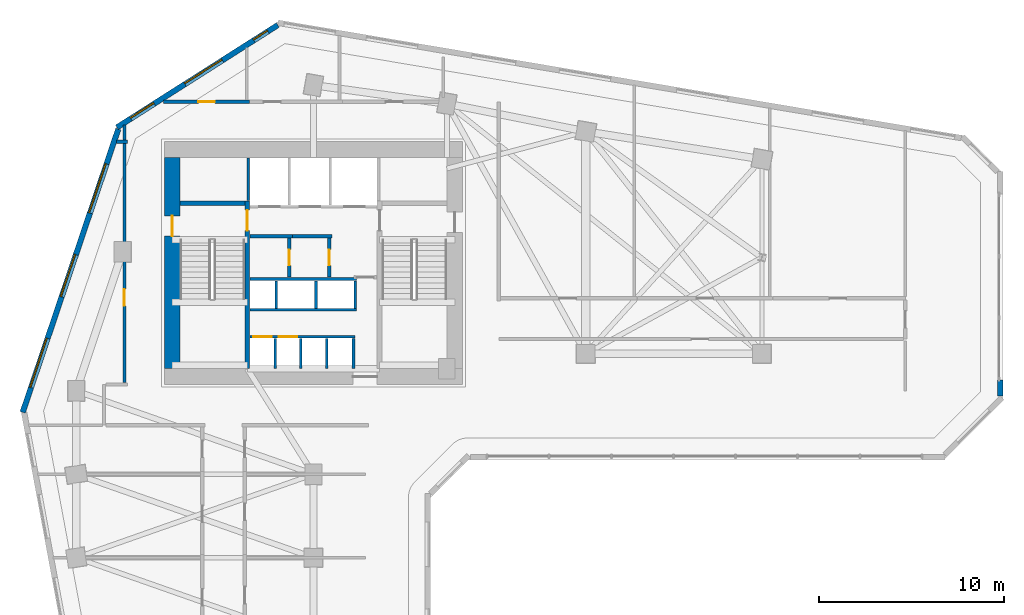
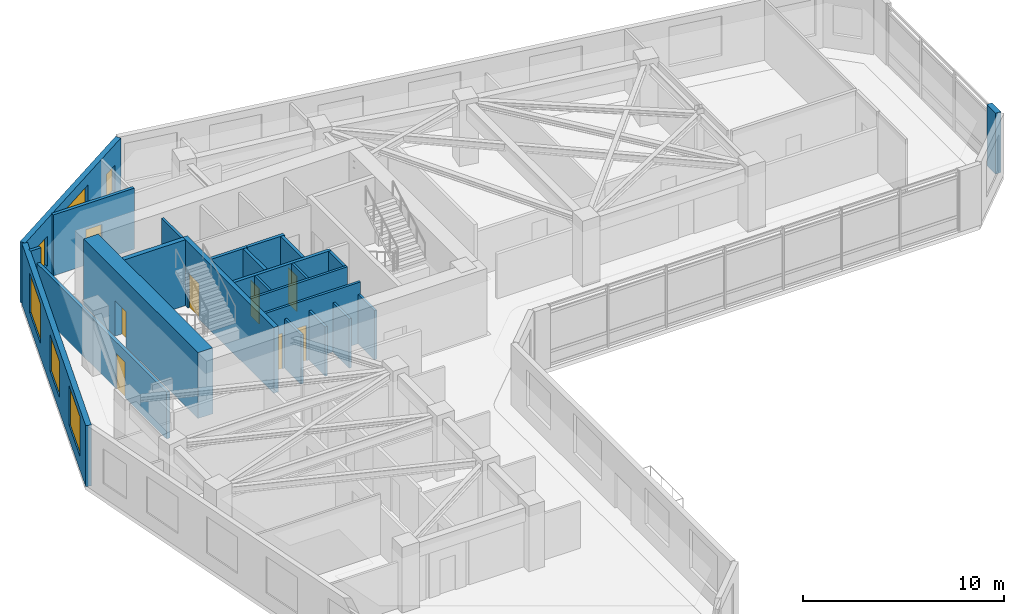
# One storey, part 7 of 11: 24 walls, 8 doors, 6 windows, 14 openings.
"""IFC4 building model written with IfcOpenShell, lengths in metres."""

from ifc_helpers import new_model, si_unit, direction, frame, frame_2d, origin, place, context, subcontext, project, spatial, rectangle, extrude, source, transform, mapped, material, layer, layer_set, type_object, element, fill, save


model = new_model("IFC4")

# Units and contexts
model_context = context("Model", 3, precision=1e-05, world=origin(), true_north=direction((0.0, 1.0)))
body_context = subcontext(model_context, "Body", "Model", "MODEL_VIEW")
ifc_project = project(units=[si_unit("LENGTHUNIT", "METRE"), si_unit("AREAUNIT", "SQUARE_METRE"), si_unit("VOLUMEUNIT", "CUBIC_METRE"), si_unit("PLANEANGLEUNIT", "RADIAN"), si_unit("MASSUNIT", "GRAM", prefix="KILO")], contexts=[model_context])

# Site, building, storey
site_placement = place(None, origin())
site = spatial("IfcSite", under=ifc_project, at=site_placement, CompositionType="ELEMENT")
building_placement = place(site_placement, origin())
building = spatial("IfcBuilding", under=site, at=building_placement, Name="Calvemar Wedge Station Tower", CompositionType="ELEMENT")
storey_placement = place(building_placement, frame((0.0, 0.0, 59.0)))
storey = spatial("IfcBuildingStorey", under=building, at=storey_placement, Name="L14", CompositionType="ELEMENT", Elevation=59.0)

# Wall, opening, door
ifc_material_1 = material(Name="Concrete C50", Category="concrete")
ifc_layer_1 = layer(ifc_material_1, 0.260009765625)
ifc_layer_set_1 = layer_set([ifc_layer_1], Name="Concrete C50")
wall_type_1 = type_object("IfcWallType", Name="SW-CORE-260", PredefinedType="SHEAR", material=ifc_layer_set_1)
wall_1_placement = place(storey_placement, frame((20.22998046875, 34.199951171875, 0.0), z_axis=(0.0, 0.0, 1.0), x_axis=(0.0, 1.0, 0.0)))
wall_1 = element("IfcWall", 1, at=wall_1_placement, inside=storey, type_object=wall_type_1, Name="Storey L14 Core Shear Wall SPINE-W", PredefinedType="SHEAR", context=body_context, shape_type="SweptSolid", body=[
    extrude(rectangle(XDim=9.06005859375, YDim=0.260009765625, at=frame_2d((4.530029296875, 0.0))), origin(), (0.0, 0.0, 1.0), 4.0),
])
shared_shape_1 = source(origin(), body_context, "Body", "SweptSolid", [
    extrude(rectangle(XDim=1.10009765625, YDim=2.14990234375, at=frame_2d((0.550048828125, 1.074951171875))), frame((0.0, 0.14013671875, 0.0), z_axis=(0.0, -1.0, 0.0), x_axis=(1.0, 0.0, 0.0)), (0.0, 0.0, 1.0), 0.280029296875),
])
opening_1_placement = place(wall_1_placement, frame((7.449951171875, 0.0, 0.0)))
opening_1 = element("IfcOpeningElement", 2, at=opening_1_placement, cuts=wall_1, Name="Opening FD-90", PredefinedType="OPENING", context=body_context, shape_type="MappedRepresentation", body=[
    mapped(shared_shape_1, transform((0.0, 0.0, 0.0), scale=1.0)),
])
ifc_material_2 = material(Name="Galvanized fire-rated steel door leaf P-90", Category="steel")
door_type_1 = type_object("IfcDoorType", Name="DR-FD90-1100", OperationType="NOTDEFINED", PredefinedType="DOOR", material=ifc_material_2)
shared_shape_2 = source(origin(), body_context, "Body", "SweptSolid", [
    extrude(rectangle(XDim=1.10009765625, YDim=2.14990234375, at=frame_2d((0.550048828125, 1.074951171875))), frame((0.0, 0.02490234375, 0.0), z_axis=(0.0, -1.0, 0.0), x_axis=(1.0, 0.0, 0.0)), (0.0, 0.0, 1.0), 0.050048828125),
])
door_1_placement = place(opening_1_placement, origin())
door_1 = element("IfcDoor", 3, at=door_1_placement, inside=storey, type_object=door_type_1, Name="L14 FF Lobby to Stair ST-C1 Door", OperationType="SINGLE_SWING_LEFT", OverallHeight=2.14990234375, OverallWidth=1.10009765625, PredefinedType="DOOR", context=body_context, shape_type="MappedRepresentation", body=[
    mapped(shared_shape_2, transform((0.0, 0.0, 0.0), scale=1.0)),
])
fill(opening_1, door_1)

# Wall
wall_2_placement = place(storey_placement, frame((16.60009765625, 43.1298828125, 0.0), z_axis=(0.0, 0.0, 1.0), x_axis=(1.0, 0.0, 0.0)))
element("IfcWall", 4, at=wall_2_placement, inside=storey, type_object=wall_type_1, Name="Storey L14 Core Shear Wall STC1-N", PredefinedType="SHEAR", context=body_context, shape_type="SweptSolid", body=[
    extrude(rectangle(XDim=3.5, YDim=0.260009765625, at=frame_2d((1.75, 0.0))), origin(), (0.0, 0.0, 1.0), 4.0),
])

# Wall, opening, door
ifc_material_3 = material(Name="Concrete C80", Category="concrete")
ifc_layer_2 = layer(ifc_material_3, 0.85009765625)
ifc_layer_set_2 = layer_set([ifc_layer_2], Name="Concrete C80")
wall_type_2 = type_object("IfcWallType", Name="SW-CORE-850", PredefinedType="SHEAR", material=ifc_layer_set_2)
wall_3_placement = place(storey_placement, frame((16.175048828125, 34.199951171875, 0.0), z_axis=(0.0, 0.0, 1.0), x_axis=(0.0, 1.0, 0.0)))
wall_3 = element("IfcWall", 5, at=wall_3_placement, inside=storey, type_object=wall_type_2, Name="Storey L14 Core Shear Wall W", PredefinedType="SHEAR", context=body_context, shape_type="SweptSolid", body=[
    extrude(rectangle(XDim=11.400146484375, YDim=0.85009765625, at=frame_2d((5.7001953125, 0.0))), origin(), (0.0, 0.0, 1.0), 4.0),
])
shared_shape_3 = source(origin(), body_context, "Body", "SweptSolid", [
    extrude(rectangle(XDim=1.10009765625, YDim=2.14990234375, at=frame_2d((0.550048828125, 1.074951171875))), frame((0.0, 0.43505859375, 0.0), z_axis=(0.0, -1.0, 0.0), x_axis=(1.0, 0.0, 0.0)), (0.0, 0.0, 1.0), 0.8701171875),
])
opening_2_placement = place(wall_3_placement, frame((7.14990234375, 0.0, 0.0)))
opening_2 = element("IfcOpeningElement", 6, at=opening_2_placement, cuts=wall_3, Name="Opening FD-90", PredefinedType="OPENING", context=body_context, shape_type="MappedRepresentation", body=[
    mapped(shared_shape_3, transform((0.0, 0.0, 0.0), scale=1.0)),
])
door_2_placement = place(opening_2_placement, origin())
door_2 = element("IfcDoor", 7, at=door_2_placement, inside=storey, type_object=door_type_1, Name="L14 West Corridor to Exit Stair ST-C1 Door", OperationType="SINGLE_SWING_LEFT", OverallHeight=2.14990234375, OverallWidth=1.10009765625, PredefinedType="DOOR", context=body_context, shape_type="MappedRepresentation", body=[
    mapped(shared_shape_2, transform((0.0, 0.0, 0.0), scale=1.0)),
])
fill(opening_2, door_2)

# Walls
ifc_material_4 = material(Name="Double-stud fire-rated corridor partition")
ifc_layer_3 = layer(ifc_material_4, 0.179931640625)
ifc_layer_set_3 = layer_set([ifc_layer_3], Name="Double-stud fire-rated corridor partition")
wall_type_3 = type_object("IfcWallType", Name="W-CORR-180", PredefinedType="PARTITIONING", material=ifc_layer_set_3)
wall_4_placement = place(storey_placement, frame((22.659912109375, 41.35009765625, 0.0), z_axis=(0.0, 0.0, 1.0), x_axis=(-1.0, 0.0, 0.0)))
element("IfcWall", 8, at=wall_4_placement, inside=storey, type_object=wall_type_3, Name="Storey L14 Interior Partition WL-L14-001", PredefinedType="PARTITIONING", context=body_context, shape_type="SweptSolid", body=[
    extrude(rectangle(XDim=2.280029296875, YDim=0.179931640625, at=frame_2d((1.14013671875, 0.0))), origin(), (0.0, 0.0, 1.0), 3.699951171875),
])
wall_5_placement = place(storey_placement, frame((24.81005859375, 41.35009765625, 0.0), z_axis=(0.0, 0.0, 1.0), x_axis=(-1.0, 0.0, 0.0)))
element("IfcWall", 9, at=wall_5_placement, inside=storey, type_object=wall_type_3, Name="Storey L14 Interior Partition WL-L14-002", PredefinedType="PARTITIONING", context=body_context, shape_type="SweptSolid", body=[
    extrude(rectangle(XDim=2.14794921875, YDim=0.179931640625, at=frame_2d((1.073974609375, 0.0))), origin(), (0.0, 0.0, 1.0), 3.699951171875),
])

# Wall, opening, door
wall_6_placement = place(storey_placement, frame((22.5, 41.256103515625, 0.0), z_axis=(0.0, 0.0, 1.0), x_axis=(0.0, -1.0, 0.0)))
wall_6 = element("IfcWall", 10, at=wall_6_placement, inside=storey, type_object=wall_type_3, Name="Storey L14 Interior Partition WL-L14-003", PredefinedType="PARTITIONING", context=body_context, shape_type="SweptSolid", body=[
    extrude(rectangle(XDim=2.106201171875, YDim=0.179931640625, at=frame_2d((1.05322265625, 0.0))), origin(), (0.0, 0.0, 1.0), 3.699951171875),
])
shared_shape_4 = source(origin(), body_context, "Body", "SweptSolid", [
    extrude(rectangle(XDim=0.85009765625, YDim=2.14990234375, at=frame_2d((0.425048828125, 1.074951171875))), frame((0.0, 0.10009765625, 0.0), z_axis=(0.0, -1.0, 0.0), x_axis=(1.0, 0.0, 0.0)), (0.0, 0.0, 1.0), 0.199951171875),
])
opening_3_placement = place(wall_6_placement, frame((0.6279296875, 0.0, 0.0)))
opening_3 = element("IfcOpeningElement", 11, at=opening_3_placement, cuts=wall_6, Name="Opening FD-60S", PredefinedType="OPENING", context=body_context, shape_type="MappedRepresentation", body=[
    mapped(shared_shape_4, transform((0.0, 0.0, 0.0), scale=1.0)),
])
ifc_material_5 = material(Name="Fire-rated steel and hardwood service door EI 60", Category="steel")
door_type_2 = type_object("IfcDoorType", Name="DR-CORE-FD60-850", OperationType="NOTDEFINED", PredefinedType="DOOR", material=ifc_material_5)
shared_shape_5 = source(origin(), body_context, "Body", "SweptSolid", [
    extrude(rectangle(XDim=0.85009765625, YDim=2.14990234375, at=frame_2d((0.425048828125, 1.074951171875))), frame((0.0, 0.02490234375, 0.0), z_axis=(0.0, -1.0, 0.0), x_axis=(1.0, 0.0, 0.0)), (0.0, 0.0, 1.0), 0.050048828125),
])
door_3_placement = place(opening_3_placement, origin())
door_3 = element("IfcDoor", 12, at=door_3_placement, inside=storey, type_object=door_type_2, Name="L14 IT and Telecoms Room Door", OperationType="SINGLE_SWING_LEFT", OverallHeight=2.14990234375, OverallWidth=0.85009765625, PredefinedType="DOOR", context=body_context, shape_type="MappedRepresentation", body=[
    mapped(shared_shape_5, transform((0.0, 0.0, 0.0), scale=1.0)),
])
fill(opening_3, door_3)

wall_7_placement = place(storey_placement, frame((24.64990234375, 41.256103515625, 0.0), z_axis=(0.0, 0.0, 1.0), x_axis=(0.0, -1.0, 0.0)))
wall_7 = element("IfcWall", 13, at=wall_7_placement, inside=storey, type_object=wall_type_3, Name="Storey L14 Interior Partition WL-L14-004", PredefinedType="PARTITIONING", context=body_context, shape_type="SweptSolid", body=[
    extrude(rectangle(XDim=2.106201171875, YDim=0.179931640625, at=frame_2d((1.05322265625, 0.0))), origin(), (0.0, 0.0, 1.0), 3.699951171875),
])
opening_4_placement = place(wall_7_placement, frame((0.6279296875, 0.0, 0.0)))
opening_4 = element("IfcOpeningElement", 14, at=opening_4_placement, cuts=wall_7, Name="Opening FD-60S", PredefinedType="OPENING", context=body_context, shape_type="MappedRepresentation", body=[
    mapped(shared_shape_4, transform((0.0, 0.0, 0.0), scale=1.0)),
])
door_4_placement = place(opening_4_placement, origin())
door_4 = element("IfcDoor", 15, at=door_4_placement, inside=storey, type_object=door_type_2, Name="L14 Core Equipment Store Door", OperationType="SINGLE_SWING_RIGHT", OverallHeight=2.14990234375, OverallWidth=0.85009765625, PredefinedType="DOOR", context=body_context, shape_type="MappedRepresentation", body=[
    mapped(shared_shape_5, transform((0.0, 0.0, 0.0), scale=1.0)),
])
fill(opening_4, door_4)

wall_8_placement = place(storey_placement, frame((13.60009765625, 33.444091796875, 0.0), z_axis=(0.0, 0.0, 1.0), x_axis=(0.0, 1.0, 0.0)))
wall_8 = element("IfcWall", 16, at=wall_8_placement, inside=storey, type_object=wall_type_3, Name="Storey L14 Interior Partition WL-L14-010", PredefinedType="PARTITIONING", context=body_context, shape_type="SweptSolid", body=[
    extrude(rectangle(XDim=13.896240234375, YDim=0.179931640625, at=frame_2d((6.9482421875, 0.0))), origin(), (0.0, 0.0, 1.0), 2.842041015625),
])
shared_shape_6 = source(origin(), body_context, "Body", "SweptSolid", [
    extrude(rectangle(XDim=0.89990234375, YDim=2.14990234375, at=frame_2d((0.449951171875, 1.074951171875))), frame((0.0, 0.10009765625, 0.0), z_axis=(0.0, -1.0, 0.0), x_axis=(1.0, 0.0, 0.0)), (0.0, 0.0, 1.0), 0.199951171875),
])
opening_5_placement = place(wall_8_placement, frame((4.143798828125, 0.0, 0.0)))
opening_5 = element("IfcOpeningElement", 17, at=opening_5_placement, cuts=wall_8, Name="Opening D-01", PredefinedType="OPENING", context=body_context, shape_type="MappedRepresentation", body=[
    mapped(shared_shape_6, transform((0.0, 0.0, 0.0), scale=1.0)),
])
ifc_material_6 = material(Name="Architectural hardwood acoustic swing door", Category="wood")
door_type_3 = type_object("IfcDoorType", Name="DR-INT-900", OperationType="NOTDEFINED", PredefinedType="DOOR", material=ifc_material_6)
shared_shape_7 = source(origin(), body_context, "Body", "SweptSolid", [
    extrude(rectangle(XDim=0.89990234375, YDim=2.14990234375, at=frame_2d((0.449951171875, 1.074951171875))), frame((0.0, 0.02490234375, 0.0), z_axis=(0.0, -1.0, 0.0), x_axis=(1.0, 0.0, 0.0)), (0.0, 0.0, 1.0), 0.050048828125),
])
door_5_placement = place(opening_5_placement, origin())
door_5 = element("IfcDoor", 18, at=door_5_placement, inside=storey, type_object=door_type_3, Name="L14 Co-Working Studio Door", OperationType="SINGLE_SWING_RIGHT", OverallHeight=2.14990234375, OverallWidth=0.89990234375, PredefinedType="DOOR", context=body_context, shape_type="MappedRepresentation", body=[
    mapped(shared_shape_7, transform((0.0, 0.0, 0.0), scale=1.0)),
])
fill(opening_5, door_5)

# Wall
wall_9_placement = place(storey_placement, frame((13.760009765625, 46.449951171875, 0.0), z_axis=(0.0, 0.0, 1.0), x_axis=(-1.0, 0.0, 0.0)))
element("IfcWall", 19, at=wall_9_placement, inside=storey, type_object=wall_type_3, Name="Storey L14 Interior Partition WL-L14-011", PredefinedType="PARTITIONING", context=body_context, shape_type="SweptSolid", body=[
    extrude(rectangle(XDim=0.60107421875, YDim=0.179931640625, at=frame_2d((0.300537109375, 0.0))), origin(), (0.0, 0.0, 1.0), 3.699951171875),
])

# Wall, opening, door
wall_10_placement = place(storey_placement, frame((15.709716796875, 48.60009765625, 0.0), z_axis=(0.0, 0.0, 1.0), x_axis=(1.0, 0.0, 0.0)))
wall_10 = element("IfcWall", 20, at=wall_10_placement, inside=storey, type_object=wall_type_3, Name="Storey L14 Interior Partition WL-L14-012", PredefinedType="PARTITIONING", context=body_context, shape_type="SweptSolid", body=[
    extrude(rectangle(XDim=4.650390625, YDim=0.179931640625, at=frame_2d((2.3251953125, 0.0))), origin(), (0.0, 0.0, 1.0), 3.699951171875),
])
opening_6_placement = place(wall_10_placement, frame((1.875, 0.0, 0.0)))
opening_6 = element("IfcOpeningElement", 21, at=opening_6_placement, cuts=wall_10, Name="Opening D-01", PredefinedType="OPENING", context=body_context, shape_type="MappedRepresentation", body=[
    mapped(shared_shape_6, transform((0.0, 0.0, 0.0), scale=1.0)),
])
door_6_placement = place(opening_6_placement, origin())
door_6 = element("IfcDoor", 22, at=door_6_placement, inside=storey, type_object=door_type_3, Name="L14 Male Toilet Door", OperationType="SINGLE_SWING_LEFT", OverallHeight=2.14990234375, OverallWidth=0.89990234375, PredefinedType="DOOR", context=body_context, shape_type="MappedRepresentation", body=[
    mapped(shared_shape_7, transform((0.0, 0.0, 0.0), scale=1.0)),
])
fill(opening_6, door_6)

# Wall
ifc_material_7 = material(Name="Precast concrete C45", Category="concrete")
ifc_layer_4 = layer(ifc_material_7, 0.300048828125)
ifc_layer_set_4 = layer_set([ifc_layer_4], Name="Precast concrete C45")
wall_type_4 = type_object("IfcWallType", Name="W-EXT-GFRC-300", PredefinedType="SOLIDWALL", material=ifc_layer_set_4)
wall_11_placement = place(storey_placement, frame((60.85009765625, 32.71728515625, 0.0), z_axis=(0.0, 0.0, 1.0), x_axis=(0.0, 1.0, 0.0)))
element("IfcWall", 23, at=wall_11_placement, inside=storey, type_object=wall_type_4, Name="Storey L14 Bronze GFRC Corner Pier 8A", PredefinedType="SOLIDWALL", context=body_context, shape_type="SweptSolid", body=[
    extrude(rectangle(XDim=0.8798828125, YDim=0.300048828125, at=frame_2d((0.43994140625, 0.0))), origin(), (0.0, 0.0, 1.0), 3.699951171875),
])

# Wall, openings, windows
wall_12_placement = place(storey_placement, frame((21.875, 52.742919921875, 0.0), z_axis=(0.0, 0.0, 1.0), x_axis=(-0.843647802826, -0.536896996441, 0.0)))
wall_12 = element("IfcWall", 24, at=wall_12_placement, inside=storey, type_object=wall_type_4, Name="Storey L14 Bronze GFRC Exterior Wall 11", PredefinedType="SOLIDWALL", context=body_context, shape_type="SweptSolid", body=[
    extrude(rectangle(XDim=10.284423828125, YDim=0.300048828125, at=frame_2d((5.14208984375, 0.0))), origin(), (0.0, 0.0, 1.0), 3.699951171875),
])
shared_shape_8 = source(origin(), body_context, "Body", "SweptSolid", [
    extrude(rectangle(XDim=0.89990234375, YDim=1.60009765625, at=frame_2d((0.449951171875, 0.800048828125))), frame((0.0, 0.16015625, 0.0), z_axis=(0.0, -1.0, 0.0), x_axis=(1.0, 0.0, 0.0)), (0.0, 0.0, 1.0), 0.320068359375),
])
opening_7_placement = place(wall_12_placement, frame((0.62890625, 0.0, 0.85009765625)))
opening_7 = element("IfcOpeningElement", 25, at=opening_7_placement, cuts=wall_12, Name="Opening W7", PredefinedType="OPENING", context=body_context, shape_type="MappedRepresentation", body=[
    mapped(shared_shape_8, transform((0.0, 0.0, 0.0), scale=1.0)),
])
shared_shape_9 = source(origin(), body_context, "Body", "SweptSolid", [
    extrude(rectangle(XDim=2.39990234375, YDim=2.199951171875, at=frame_2d((1.199951171875, 1.10009765625))), frame((0.0, 0.16015625, 0.0), z_axis=(0.0, -1.0, 0.0), x_axis=(1.0, 0.0, 0.0)), (0.0, 0.0, 1.0), 0.320068359375),
])
opening_8_placement = place(wall_12_placement, frame((3.5419921875, 0.0, 0.85009765625)))
opening_8 = element("IfcOpeningElement", 26, at=opening_8_placement, cuts=wall_12, Name="Opening W1", PredefinedType="OPENING", context=body_context, shape_type="MappedRepresentation", body=[
    mapped(shared_shape_9, transform((0.0, 0.0, 0.0), scale=1.0)),
])
shared_shape_10 = source(origin(), body_context, "Body", "SweptSolid", [
    extrude(rectangle(XDim=1.5, YDim=1.800048828125, at=frame_2d((0.75, 0.89990234375))), frame((0.0, 0.16015625, 0.0), z_axis=(0.0, -1.0, 0.0), x_axis=(1.0, 0.0, 0.0)), (0.0, 0.0, 1.0), 0.320068359375),
])
opening_9_placement = place(wall_12_placement, frame((7.904052734375, 0.0, 0.85009765625)))
opening_9 = element("IfcOpeningElement", 27, at=opening_9_placement, cuts=wall_12, Name="Opening W3", PredefinedType="OPENING", context=body_context, shape_type="MappedRepresentation", body=[
    mapped(shared_shape_10, transform((0.0, 0.0, 0.0), scale=1.0)),
])
ifc_material_8 = material(Name="Low-E laminated insulated glass", Category="glass")
window_type_1 = type_object("IfcWindowType", Name="WIN-EXT-1", PartitioningType="SINGLE_PANEL", PredefinedType="WINDOW", material=ifc_material_8)
shared_shape_11 = source(origin(), body_context, "Body", "SweptSolid", [
    extrude(rectangle(XDim=2.39990234375, YDim=2.199951171875, at=frame_2d((1.199951171875, 1.10009765625))), frame((0.0, -0.014892578125, 0.0), z_axis=(0.0, -1.0, 0.0), x_axis=(1.0, 0.0, 0.0)), (0.0, 0.0, 1.0), 0.06005859375),
])
window_1_placement = place(opening_8_placement, origin())
window_1 = element("IfcWindow", 28, at=window_1_placement, inside=storey, type_object=window_type_1, Name="Storey L14 Recessed Window 11.2", OverallHeight=2.199951171875, OverallWidth=2.39990234375, PartitioningType="SINGLE_PANEL", PredefinedType="WINDOW", context=body_context, shape_type="MappedRepresentation", body=[
    mapped(shared_shape_11, transform((0.0, 0.0, 0.0), scale=1.0)),
])
fill(opening_8, window_1)
window_type_2 = type_object("IfcWindowType", Name="WIN-EXT-3", PartitioningType="SINGLE_PANEL", PredefinedType="WINDOW", material=ifc_material_8)
shared_shape_12 = source(origin(), body_context, "Body", "SweptSolid", [
    extrude(rectangle(XDim=1.5, YDim=1.800048828125, at=frame_2d((0.75, 0.89990234375))), frame((0.0, -0.014892578125, 0.0), z_axis=(0.0, -1.0, 0.0), x_axis=(1.0, 0.0, 0.0)), (0.0, 0.0, 1.0), 0.06005859375),
])
window_2_placement = place(opening_9_placement, origin())
window_2 = element("IfcWindow", 29, at=window_2_placement, inside=storey, type_object=window_type_2, Name="Storey L14 Recessed Window 11.3", OverallHeight=1.800048828125, OverallWidth=1.5, PartitioningType="SINGLE_PANEL", PredefinedType="WINDOW", context=body_context, shape_type="MappedRepresentation", body=[
    mapped(shared_shape_12, transform((0.0, 0.0, 0.0), scale=1.0)),
])
fill(opening_9, window_2)
window_type_3 = type_object("IfcWindowType", Name="WIN-EXT-7", PartitioningType="SINGLE_PANEL", PredefinedType="WINDOW", material=ifc_material_8)
shared_shape_13 = source(origin(), body_context, "Body", "SweptSolid", [
    extrude(rectangle(XDim=0.89990234375, YDim=1.60009765625, at=frame_2d((0.449951171875, 0.800048828125))), frame((0.0, -0.014892578125, 0.0), z_axis=(0.0, -1.0, 0.0), x_axis=(1.0, 0.0, 0.0)), (0.0, 0.0, 1.0), 0.06005859375),
])
window_3_placement = place(opening_7_placement, origin())
window_3 = element("IfcWindow", 30, at=window_3_placement, inside=storey, type_object=window_type_3, Name="Storey L14 Recessed Window 11.1", OverallHeight=1.60009765625, OverallWidth=0.89990234375, PartitioningType="SINGLE_PANEL", PredefinedType="WINDOW", context=body_context, shape_type="MappedRepresentation", body=[
    mapped(shared_shape_13, transform((0.0, 0.0, 0.0), scale=1.0)),
])
fill(opening_7, window_3)

wall_13_placement = place(storey_placement, frame((13.2685546875, 47.1337890625, 0.0), z_axis=(0.0, 0.0, 1.0), x_axis=(-0.319920423265, -0.947444416722, 0.0)))
wall_13 = element("IfcWall", 31, at=wall_13_placement, inside=storey, type_object=wall_type_4, Name="Storey L14 Bronze GFRC Exterior Wall 12", PredefinedType="SOLIDWALL", context=body_context, shape_type="SweptSolid", body=[
    extrude(rectangle(XDim=16.134765625, YDim=0.300048828125, at=frame_2d((8.0673828125, 0.0))), origin(), (0.0, 0.0, 1.0), 3.699951171875),
])
shared_shape_14 = source(origin(), body_context, "Body", "SweptSolid", [
    extrude(rectangle(XDim=2.800048828125, YDim=2.39990234375, at=frame_2d((1.39990234375, 1.199951171875))), frame((0.0, 0.16015625, 0.0), z_axis=(0.0, -1.0, 0.0), x_axis=(1.0, 0.0, 0.0)), (0.0, 0.0, 1.0), 0.320068359375),
])
opening_10_placement = place(wall_13_placement, frame((1.988037109375, 0.0, 0.85009765625)))
opening_10 = element("IfcOpeningElement", 32, at=opening_10_placement, cuts=wall_13, Name="Opening W6", PredefinedType="OPENING", context=body_context, shape_type="MappedRepresentation", body=[
    mapped(shared_shape_14, transform((0.0, 0.0, 0.0), scale=1.0)),
])
opening_11_placement = place(wall_13_placement, frame((7.158935546875, 0.0, 0.85009765625)))
opening_11 = element("IfcOpeningElement", 33, at=opening_11_placement, cuts=wall_13, Name="Opening W1", PredefinedType="OPENING", context=body_context, shape_type="MappedRepresentation", body=[
    mapped(shared_shape_9, transform((0.0, 0.0, 0.0), scale=1.0)),
])
opening_12_placement = place(wall_13_placement, frame((11.929931640625, 0.0, 0.85009765625)))
opening_12 = element("IfcOpeningElement", 34, at=opening_12_placement, cuts=wall_13, Name="Opening W6", PredefinedType="OPENING", context=body_context, shape_type="MappedRepresentation", body=[
    mapped(shared_shape_14, transform((0.0, 0.0, 0.0), scale=1.0)),
])
window_type_4 = type_object("IfcWindowType", Name="WIN-EXT-6", PartitioningType="SINGLE_PANEL", PredefinedType="WINDOW", material=ifc_material_8)
shared_shape_15 = source(origin(), body_context, "Body", "SweptSolid", [
    extrude(rectangle(XDim=2.800048828125, YDim=2.39990234375, at=frame_2d((1.39990234375, 1.199951171875))), frame((0.0, -0.014892578125, 0.0), z_axis=(0.0, -1.0, 0.0), x_axis=(1.0, 0.0, 0.0)), (0.0, 0.0, 1.0), 0.06005859375),
])
window_4_placement = place(opening_10_placement, origin())
window_4 = element("IfcWindow", 35, at=window_4_placement, inside=storey, type_object=window_type_4, Name="Storey L14 Recessed Window 12.1", OverallHeight=2.39990234375, OverallWidth=2.800048828125, PartitioningType="SINGLE_PANEL", PredefinedType="WINDOW", context=body_context, shape_type="MappedRepresentation", body=[
    mapped(shared_shape_15, transform((0.0, 0.0, 0.0), scale=1.0)),
])
fill(opening_10, window_4)
window_5_placement = place(opening_12_placement, origin())
window_5 = element("IfcWindow", 36, at=window_5_placement, inside=storey, type_object=window_type_4, Name="Storey L14 Recessed Window 12.3", OverallHeight=2.39990234375, OverallWidth=2.800048828125, PartitioningType="SINGLE_PANEL", PredefinedType="WINDOW", context=body_context, shape_type="MappedRepresentation", body=[
    mapped(shared_shape_15, transform((0.0, 0.0, 0.0), scale=1.0)),
])
fill(opening_12, window_5)
window_6_placement = place(opening_11_placement, origin())
window_6 = element("IfcWindow", 37, at=window_6_placement, inside=storey, type_object=window_type_1, Name="Storey L14 Recessed Window 12.2", OverallHeight=2.199951171875, OverallWidth=2.39990234375, PartitioningType="SINGLE_PANEL", PredefinedType="WINDOW", context=body_context, shape_type="MappedRepresentation", body=[
    mapped(shared_shape_11, transform((0.0, 0.0, 0.0), scale=1.0)),
])
fill(opening_11, window_6)

# Wall
ifc_material_9 = material(Name="Reinforced concrete blockwork lift shaft wall", Category="masonry")
ifc_layer_5 = layer(ifc_material_9, 0.139892578125)
ifc_layer_set_5 = layer_set([ifc_layer_5], Name="Reinforced concrete blockwork lift shaft wall")
wall_type_5 = type_object("IfcWallType", Name="W-LIFT-160", PredefinedType="SOLIDWALL", material=ifc_layer_set_5)
wall_14_placement = place(storey_placement, frame((20.2900390625, 43.280029296875, 0.0), z_axis=(0.0, 0.0, 1.0), x_axis=(0.0, 1.0, 0.0)))
element("IfcWall", 38, at=wall_14_placement, inside=storey, type_object=wall_type_5, Name="Storey L14 Firefighting Lift Shaft Enclosure Wall W", PredefinedType="SOLIDWALL", context=body_context, shape_type="SweptSolid", body=[
    extrude(rectangle(XDim=2.300048828125, YDim=0.139892578125, at=frame_2d((1.14990234375, 0.0))), origin(), (0.0, 0.0, 1.0), 3.699951171875),
])

# Wall, openings, doors
wall_15_placement = place(storey_placement, frame((20.3798828125, 35.919921875, 0.0), z_axis=(0.0, 0.0, 1.0), x_axis=(1.0, 0.0, 0.0)))
wall_15 = element("IfcWall", 39, at=wall_15_placement, inside=storey, type_object=wall_type_5, Name="Storey L14 South Passenger Lift Bank Front Wall", PredefinedType="SOLIDWALL", context=body_context, shape_type="SweptSolid", body=[
    extrude(rectangle(XDim=5.650146484375, YDim=0.139892578125, at=frame_2d((2.8251953125, 0.0))), origin(), (0.0, 0.0, 1.0), 3.699951171875),
])
shared_shape_16 = source(origin(), body_context, "Body", "SweptSolid", [
    extrude(rectangle(XDim=1.0, YDim=2.14990234375, at=frame_2d((0.5, 1.074951171875))), frame((0.0, 0.080078125, 0.0), z_axis=(0.0, -1.0, 0.0), x_axis=(1.0, 0.0, 0.0)), (0.0, 0.0, 1.0), 0.159912109375),
])
opening_13_placement = place(wall_15_placement, frame((0.159912109375, 0.0, 0.0)))
opening_13 = element("IfcOpeningElement", 40, at=opening_13_placement, cuts=wall_15, Name="Opening LD-PAX", PredefinedType="OPENING", context=body_context, shape_type="MappedRepresentation", body=[
    mapped(shared_shape_16, transform((0.0, 0.0, 0.0), scale=1.0)),
])
opening_14_placement = place(wall_15_placement, frame((1.550048828125, 0.0, 0.0)))
opening_14 = element("IfcOpeningElement", 41, at=opening_14_placement, cuts=wall_15, Name="Opening LD-PAX", PredefinedType="OPENING", context=body_context, shape_type="MappedRepresentation", body=[
    mapped(shared_shape_16, transform((0.0, 0.0, 0.0), scale=1.0)),
])
ifc_material_10 = material(Name="Anodised bronze passenger lift sliding landing door")
door_type_4 = type_object("IfcDoorType", Name="DR-LD-PAX-1000", OperationType="SLIDING_TO_LEFT", PredefinedType="DOOR", material=ifc_material_10)
shared_shape_17 = source(origin(), body_context, "Body", "SweptSolid", [
    extrude(rectangle(XDim=1.0, YDim=2.14990234375, at=frame_2d((0.5, 1.074951171875))), frame((0.0, 0.02490234375, 0.0), z_axis=(0.0, -1.0, 0.0), x_axis=(1.0, 0.0, 0.0)), (0.0, 0.0, 1.0), 0.050048828125),
])
door_7_placement = place(opening_13_placement, origin())
door_7 = element("IfcDoor", 42, at=door_7_placement, inside=storey, type_object=door_type_4, Name="L14 Lift OL-01 Sliding Landing Door", OperationType="SLIDING_TO_LEFT", OverallHeight=2.14990234375, OverallWidth=1.0, PredefinedType="DOOR", context=body_context, shape_type="MappedRepresentation", body=[
    mapped(shared_shape_17, transform((0.0, 0.0, 0.0), scale=1.0)),
])
fill(opening_13, door_7)
door_8_placement = place(opening_14_placement, origin())
door_8 = element("IfcDoor", 43, at=door_8_placement, inside=storey, type_object=door_type_4, Name="L14 Lift OL-02 Sliding Landing Door", OperationType="SLIDING_TO_RIGHT", OverallHeight=2.14990234375, OverallWidth=1.0, PredefinedType="DOOR", context=body_context, shape_type="MappedRepresentation", body=[
    mapped(shared_shape_17, transform((0.0, 0.0, 0.0), scale=1.0)),
])
fill(opening_14, door_8)

# Walls
for number, where, z_axis, x_axis, name in (
    (44, (25.9599609375, 34.219970703125, 0.0), (0.0, 0.0, 1.0), (0.0, 1.0, 0.0), "Storey L14 South Passenger Lift Shaft Wall E"),
    (45, (21.735107421875, 34.219970703125, 0.0), (0.0, 0.0, 1.0), (0.0, 1.0, 0.0), "Storey L14 South Passenger Lift Shaft Wall D1"),
    (46, (23.125, 34.219970703125, 0.0), (0.0, 0.0, 1.0), (0.0, 1.0, 0.0), "Storey L14 South Passenger Lift Shaft Wall D2"),
    (47, (24.514892578125, 34.219970703125, 0.0), (0.0, 0.0, 1.0), (0.0, 1.0, 0.0), "Storey L14 South Passenger Lift Shaft Wall D3"),
):
    element("IfcWall", number, at=place(storey_placement, frame(where, z_axis=z_axis, x_axis=x_axis)), inside=storey, type_object=wall_type_5, Name=name, PredefinedType="SOLIDWALL", context=body_context, shape_type="SweptSolid", body=[
        extrude(rectangle(XDim=1.6201171875, YDim=0.139892578125, at=frame_2d((0.81005859375, 0.0))), origin(), (0.0, 0.0, 1.0), 2.991943359375),
    ])
wall_16_placement = place(storey_placement, frame((20.3798828125, 37.3798828125, 0.0), z_axis=(0.0, 0.0, 1.0), x_axis=(1.0, 0.0, 0.0)))
element("IfcWall", 48, at=wall_16_placement, inside=storey, type_object=wall_type_5, Name="Storey L14 Upper Passenger Lift Bank Front Wall", PredefinedType="SOLIDWALL", context=body_context, shape_type="SweptSolid", body=[
    extrude(rectangle(XDim=5.75, YDim=0.139892578125, at=frame_2d((2.875, 0.0))), origin(), (0.0, 0.0, 1.0), 3.699951171875),
])
for number, where, z_axis, x_axis, name in (
    (49, (26.06005859375, 37.4599609375, 0.0), (0.0, 0.0, 1.0), (0.0, 1.0, 0.0), "Storey L14 Upper Passenger Lift Shaft Wall E"),
    (50, (21.794921875, 37.4599609375, 0.0), (0.0, 0.0, 1.0), (0.0, 1.0, 0.0), "Storey L14 Upper Passenger Lift Shaft Wall D1"),
    (51, (23.93505859375, 37.4599609375, 0.0), (0.0, 0.0, 1.0), (0.0, 1.0, 0.0), "Storey L14 Upper Passenger Lift Shaft Wall D2"),
):
    element("IfcWall", number, at=place(storey_placement, frame(where, z_axis=z_axis, x_axis=x_axis)), inside=storey, type_object=wall_type_5, Name=name, PredefinedType="SOLIDWALL", context=body_context, shape_type="SweptSolid", body=[
        extrude(rectangle(XDim=1.47998046875, YDim=0.139892578125, at=frame_2d((0.739990234375, 0.0))), origin(), (0.0, 0.0, 1.0), 3.699951171875),
    ])
ifc_material_11 = material(Name="Concrete blockwork and fireboard shaft wall", Category="masonry")
ifc_layer_6 = layer(ifc_material_11, 0.199951171875)
ifc_layer_set_6 = layer_set([ifc_layer_6], Name="Concrete blockwork and fireboard shaft wall")
wall_type_6 = type_object("IfcWallType", Name="W-SHAFT-200", PredefinedType="SOLIDWALL", material=ifc_layer_set_6)
wall_17_placement = place(storey_placement, frame((20.3798828125, 39.0400390625, 0.0), z_axis=(0.0, 0.0, 1.0), x_axis=(1.0, 0.0, 0.0)))
element("IfcWall", 52, at=wall_17_placement, inside=storey, type_object=wall_type_6, Name="Storey L14 Upper Passenger Lift Bank Rear Shaft Wall", PredefinedType="SOLIDWALL", context=body_context, shape_type="SweptSolid", body=[
    extrude(rectangle(XDim=5.75, YDim=0.179931640625, at=frame_2d((2.875, 0.0))), origin(), (0.0, 0.0, 1.0), 3.699951171875),
])

save(model, "model.ifc")
